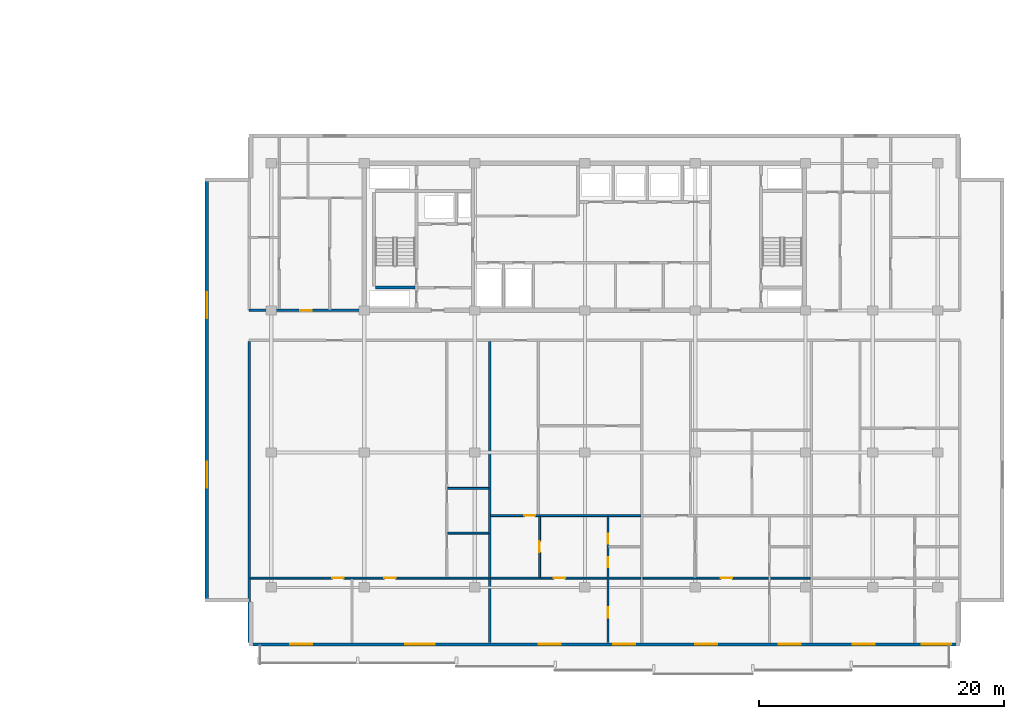
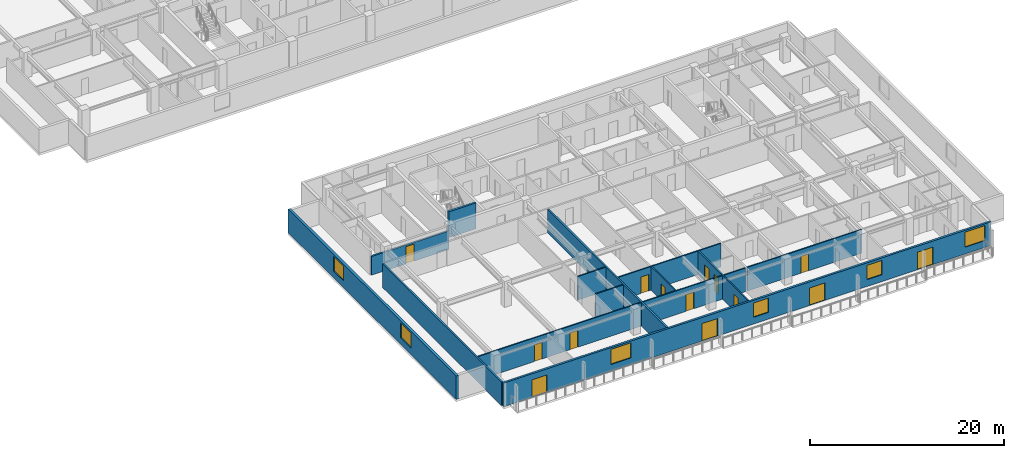
# One storey, part 4 of 21: 14 doors, 14 walls, 6 windows, 20 openings.
"""IFC4 building model written with IfcOpenShell, lengths in metres."""

from ifc_helpers import new_model, si_unit, direction, frame, frame_2d, origin, place, context, subcontext, project, spatial, rectangle, extrude, material, layer, layer_set, type_object, element, fill, save


model = new_model("IFC4")

# Units and contexts
model_context = context("Model", 3, precision=1e-05, world=origin(), true_north=direction((0.0, 1.0)))
body_context = subcontext(model_context, "Body", "Model", "MODEL_VIEW")
ifc_project = project(units=[si_unit("LENGTHUNIT", "METRE"), si_unit("AREAUNIT", "SQUARE_METRE"), si_unit("VOLUMEUNIT", "CUBIC_METRE"), si_unit("PLANEANGLEUNIT", "RADIAN"), si_unit("MASSUNIT", "GRAM", prefix="KILO")], contexts=[model_context])

# Site, building, storey
site_placement = place(None, origin())
site = spatial("IfcSite", under=ifc_project, at=site_placement, CompositionType="ELEMENT")
building_placement = place(site_placement, origin())
building = spatial("IfcBuilding", under=site, at=building_placement, Name="Korimba Cascade Residences", CompositionType="ELEMENT")
storey_placement = place(building_placement, frame((0.0, 0.0, 113.300048828125)))
storey = spatial("IfcBuildingStorey", under=building, at=storey_placement, Name="L32", CompositionType="ELEMENT", Elevation=113.300048828125)

# Wall, openings, doors, windows
ifc_material_1 = material(Name="Precast concrete C40/50", Category="concrete")
ifc_layer_1 = layer(ifc_material_1, 0.25)
ifc_layer_set_1 = layer_set([ifc_layer_1], Name="Precast concrete C40/50")
wall_type_1 = type_object("IfcWallType", Name="EW-LOG-250", PredefinedType="STANDARD", material=ifc_layer_set_1)
wall_1_placement = place(storey_placement, frame((72.699951171875, -8.85009765625, 0.0), z_axis=(0.0, 0.0, 1.0), x_axis=(1.0, 0.0, 0.0)))
wall_1 = element("IfcWall", 1, at=wall_1_placement, inside=storey, type_object=wall_type_1, Name="L32 T2 Perimeter Stone Wall E00", PredefinedType="STANDARD", context=body_context, shape_type="SweptSolid", body=[
    extrude(rectangle(XDim=58.0, YDim=0.25, at=frame_2d((29.0, 0.0))), origin(), (0.0, 0.0, 1.0), 2.969970703125),
])
opening_1_placement = place(wall_1_placement, frame((3.3583984375, 0.0, 0.0)))
opening_1 = element("IfcOpeningElement", 2, at=opening_1_placement, cuts=wall_1, Name="Opening D-LG1", PredefinedType="OPENING", context=body_context, shape_type="SweptSolid", body=[
    extrude(rectangle(XDim=1.800048828125, YDim=2.199951171875, at=frame_2d((0.89990234375, 1.10009765625))), frame((0.0, 0.135009765625, 0.0), z_axis=(0.0, -1.0, 0.0), x_axis=(1.0, 0.0, 0.0)), (0.0, 0.0, 1.0), 0.27001953125),
])
opening_2_placement = place(wall_1_placement, frame((12.7548828125, 0.0, 0.85009765625)))
opening_2 = element("IfcOpeningElement", 3, at=opening_2_placement, cuts=wall_1, Name="Opening W-01", PredefinedType="OPENING", context=body_context, shape_type="SweptSolid", body=[
    extrude(rectangle(XDim=2.39990234375, YDim=1.89990234375, at=frame_2d((1.199951171875, 0.949951171875))), frame((0.0, 0.135009765625, 0.0), z_axis=(0.0, -1.0, 0.0), x_axis=(1.0, 0.0, 0.0)), (0.0, 0.0, 1.0), 0.27001953125),
])
opening_3_placement = place(wall_1_placement, frame((23.61669921875, 0.0, 0.0)))
opening_3 = element("IfcOpeningElement", 4, at=opening_3_placement, cuts=wall_1, Name="Opening D-LG1", PredefinedType="OPENING", context=body_context, shape_type="SweptSolid", body=[
    extrude(rectangle(XDim=1.800048828125, YDim=2.199951171875, at=frame_2d((0.89990234375, 1.10009765625))), frame((0.0, 0.135009765625, 0.0), z_axis=(0.0, -1.0, 0.0), x_axis=(1.0, 0.0, 0.0)), (0.0, 0.0, 1.0), 0.27001953125),
])
opening_4_placement = place(wall_1_placement, frame((29.705078125, 0.0, 0.85009765625)))
opening_4 = element("IfcOpeningElement", 5, at=opening_4_placement, cuts=wall_1, Name="Opening W-02", PredefinedType="OPENING", context=body_context, shape_type="SweptSolid", body=[
    extrude(rectangle(XDim=1.800048828125, YDim=1.800048828125, at=frame_2d((0.89990234375, 0.89990234375))), frame((0.0, 0.135009765625, 0.0), z_axis=(0.0, -1.0, 0.0), x_axis=(1.0, 0.0, 0.0)), (0.0, 0.0, 1.0), 0.27001953125),
])
opening_5_placement = place(wall_1_placement, frame((36.41650390625, 0.0, 0.0)))
opening_5 = element("IfcOpeningElement", 6, at=opening_5_placement, cuts=wall_1, Name="Opening D-LG1", PredefinedType="OPENING", context=body_context, shape_type="SweptSolid", body=[
    extrude(rectangle(XDim=1.800048828125, YDim=2.199951171875, at=frame_2d((0.89990234375, 1.10009765625))), frame((0.0, 0.135009765625, 0.0), z_axis=(0.0, -1.0, 0.0), x_axis=(1.0, 0.0, 0.0)), (0.0, 0.0, 1.0), 0.27001953125),
])
opening_6_placement = place(wall_1_placement, frame((43.21337890625, 0.0, 0.85009765625)))
opening_6 = element("IfcOpeningElement", 7, at=opening_6_placement, cuts=wall_1, Name="Opening W-02", PredefinedType="OPENING", context=body_context, shape_type="SweptSolid", body=[
    extrude(rectangle(XDim=1.800048828125, YDim=1.800048828125, at=frame_2d((0.89990234375, 0.89990234375))), frame((0.0, 0.135009765625, 0.0), z_axis=(0.0, -1.0, 0.0), x_axis=(1.0, 0.0, 0.0)), (0.0, 0.0, 1.0), 0.27001953125),
])
opening_7_placement = place(wall_1_placement, frame((49.26171875, 0.0, 0.0)))
opening_7 = element("IfcOpeningElement", 8, at=opening_7_placement, cuts=wall_1, Name="Opening D-LG1", PredefinedType="OPENING", context=body_context, shape_type="SweptSolid", body=[
    extrude(rectangle(XDim=1.800048828125, YDim=2.199951171875, at=frame_2d((0.89990234375, 1.10009765625))), frame((0.0, 0.135009765625, 0.0), z_axis=(0.0, -1.0, 0.0), x_axis=(1.0, 0.0, 0.0)), (0.0, 0.0, 1.0), 0.27001953125),
])
opening_8_placement = place(wall_1_placement, frame((54.89990234375, 0.0, 0.85009765625)))
opening_8 = element("IfcOpeningElement", 9, at=opening_8_placement, cuts=wall_1, Name="Opening W-01", PredefinedType="OPENING", context=body_context, shape_type="SweptSolid", body=[
    extrude(rectangle(XDim=2.39990234375, YDim=1.89990234375, at=frame_2d((1.199951171875, 0.949951171875))), frame((0.0, 0.135009765625, 0.0), z_axis=(0.0, -1.0, 0.0), x_axis=(1.0, 0.0, 0.0)), (0.0, 0.0, 1.0), 0.27001953125),
])
ifc_material_2 = material(Name="Glazed Aluminium Loggia Sliding Door", Category="aluminium")
door_type_1 = type_object("IfcDoorType", Name="DR-EXT-LOG", OperationType="NOTDEFINED", PredefinedType="DOOR", material=ifc_material_2)
door_1_placement = place(opening_1_placement, origin())
door_1 = element("IfcDoor", 10, at=door_1_placement, inside=storey, type_object=door_type_1, Name="L32 T2 Loggia Sliding Door 3", OperationType="SLIDING_TO_RIGHT", OverallHeight=2.199951171875, OverallWidth=1.800048828125, PredefinedType="DOOR", context=body_context, shape_type="SweptSolid", body=[
    extrude(rectangle(XDim=1.800048828125, YDim=2.199951171875, at=frame_2d((0.89990234375, 1.10009765625))), frame((0.0, 0.02490234375, 0.0), z_axis=(0.0, -1.0, 0.0), x_axis=(1.0, 0.0, 0.0)), (0.0, 0.0, 1.0), 0.050048828125),
])
fill(opening_1, door_1)
door_2_placement = place(opening_3_placement, origin())
door_2 = element("IfcDoor", 11, at=door_2_placement, inside=storey, type_object=door_type_1, Name="L32 T2 Loggia Sliding Door 5", OperationType="SLIDING_TO_RIGHT", OverallHeight=2.199951171875, OverallWidth=1.800048828125, PredefinedType="DOOR", context=body_context, shape_type="SweptSolid", body=[
    extrude(rectangle(XDim=1.800048828125, YDim=2.199951171875, at=frame_2d((0.89990234375, 1.10009765625))), frame((0.0, 0.02490234375, 0.0), z_axis=(0.0, -1.0, 0.0), x_axis=(1.0, 0.0, 0.0)), (0.0, 0.0, 1.0), 0.050048828125),
])
fill(opening_3, door_2)
door_3_placement = place(opening_5_placement, origin())
door_3 = element("IfcDoor", 12, at=door_3_placement, inside=storey, type_object=door_type_1, Name="L32 T2 Loggia Sliding Door 7", OperationType="SLIDING_TO_RIGHT", OverallHeight=2.199951171875, OverallWidth=1.800048828125, PredefinedType="DOOR", context=body_context, shape_type="SweptSolid", body=[
    extrude(rectangle(XDim=1.800048828125, YDim=2.199951171875, at=frame_2d((0.89990234375, 1.10009765625))), frame((0.0, 0.02490234375, 0.0), z_axis=(0.0, -1.0, 0.0), x_axis=(1.0, 0.0, 0.0)), (0.0, 0.0, 1.0), 0.050048828125),
])
fill(opening_5, door_3)
door_4_placement = place(opening_7_placement, origin())
door_4 = element("IfcDoor", 13, at=door_4_placement, inside=storey, type_object=door_type_1, Name="L32 T2 Loggia Sliding Door 9", OperationType="SLIDING_TO_RIGHT", OverallHeight=2.199951171875, OverallWidth=1.800048828125, PredefinedType="DOOR", context=body_context, shape_type="SweptSolid", body=[
    extrude(rectangle(XDim=1.800048828125, YDim=2.199951171875, at=frame_2d((0.89990234375, 1.10009765625))), frame((0.0, 0.02490234375, 0.0), z_axis=(0.0, -1.0, 0.0), x_axis=(1.0, 0.0, 0.0)), (0.0, 0.0, 1.0), 0.050048828125),
])
fill(opening_7, door_4)
ifc_material_3 = material(Name="Double-Glazed Aluminium Window", Category="aluminium")
window_type_1 = type_object("IfcWindowType", Name="WIN-BED-1800", PartitioningType="SINGLE_PANEL", PredefinedType="WINDOW", material=ifc_material_3)
window_1_placement = place(opening_4_placement, origin())
window_1 = element("IfcWindow", 14, at=window_1_placement, inside=storey, type_object=window_type_1, Name="L32 T2 South Facade Window 6", OverallHeight=1.800048828125, OverallWidth=1.800048828125, PartitioningType="SINGLE_PANEL", PredefinedType="WINDOW", context=body_context, shape_type="SweptSolid", body=[
    extrude(rectangle(XDim=1.800048828125, YDim=1.800048828125, at=frame_2d((0.89990234375, 0.89990234375))), frame((0.0, 0.030029296875, 0.0), z_axis=(0.0, -1.0, 0.0), x_axis=(1.0, 0.0, 0.0)), (0.0, 0.0, 1.0), 0.06005859375),
])
fill(opening_4, window_1)
window_2_placement = place(opening_6_placement, origin())
window_2 = element("IfcWindow", 15, at=window_2_placement, inside=storey, type_object=window_type_1, Name="L32 T2 South Facade Window 8", OverallHeight=1.800048828125, OverallWidth=1.800048828125, PartitioningType="SINGLE_PANEL", PredefinedType="WINDOW", context=body_context, shape_type="SweptSolid", body=[
    extrude(rectangle(XDim=1.800048828125, YDim=1.800048828125, at=frame_2d((0.89990234375, 0.89990234375))), frame((0.0, 0.030029296875, 0.0), z_axis=(0.0, -1.0, 0.0), x_axis=(1.0, 0.0, 0.0)), (0.0, 0.0, 1.0), 0.06005859375),
])
fill(opening_6, window_2)
window_type_2 = type_object("IfcWindowType", Name="WIN-RES-2400", PartitioningType="DOUBLE_PANEL_VERTICAL", PredefinedType="WINDOW", material=ifc_material_3)
window_3_placement = place(opening_2_placement, origin())
window_3 = element("IfcWindow", 16, at=window_3_placement, inside=storey, type_object=window_type_2, Name="L32 T2 South Facade Window 4", OverallHeight=1.89990234375, OverallWidth=2.39990234375, PartitioningType="DOUBLE_PANEL_VERTICAL", PredefinedType="WINDOW", context=body_context, shape_type="SweptSolid", body=[
    extrude(rectangle(XDim=2.39990234375, YDim=1.89990234375, at=frame_2d((1.199951171875, 0.949951171875))), frame((0.0, 0.030029296875, 0.0), z_axis=(0.0, -1.0, 0.0), x_axis=(1.0, 0.0, 0.0)), (0.0, 0.0, 1.0), 0.06005859375),
])
fill(opening_2, window_3)
window_4_placement = place(opening_8_placement, origin())
window_4 = element("IfcWindow", 17, at=window_4_placement, inside=storey, type_object=window_type_2, Name="L32 T2 South Facade Window 10", OverallHeight=1.89990234375, OverallWidth=2.39990234375, PartitioningType="DOUBLE_PANEL_VERTICAL", PredefinedType="WINDOW", context=body_context, shape_type="SweptSolid", body=[
    extrude(rectangle(XDim=2.39990234375, YDim=1.89990234375, at=frame_2d((1.199951171875, 0.949951171875))), frame((0.0, 0.030029296875, 0.0), z_axis=(0.0, -1.0, 0.0), x_axis=(1.0, 0.0, 0.0)), (0.0, 0.0, 1.0), 0.06005859375),
])
fill(opening_8, window_4)

# Wall, openings, windows
ifc_layer_2 = layer(ifc_material_1, 0.300048828125)
ifc_layer_set_2 = layer_set([ifc_layer_2], Name="Precast concrete C40/50")
wall_type_2 = type_object("IfcWallType", Name="EW-STONE-300", PredefinedType="STANDARD", material=ifc_layer_set_2)
wall_2_placement = place(storey_placement, frame((69.25, 29.199951171875, 0.0), z_axis=(0.0, 0.0, 1.0), x_axis=(0.0, -1.0, 0.0)))
wall_2 = element("IfcWall", 18, at=wall_2_placement, inside=storey, type_object=wall_type_2, Name="L32 T2 Perimeter Stone Wall E09", PredefinedType="STANDARD", context=body_context, shape_type="SweptSolid", body=[
    extrude(rectangle(XDim=34.599853515625, YDim=0.300048828125, at=frame_2d((17.2998046875, 0.0))), origin(), (0.0, 0.0, 1.0), 2.969970703125),
])
opening_9_placement = place(wall_2_placement, frame((9.330078125, 0.0, 0.85009765625)))
opening_9 = element("IfcOpeningElement", 19, at=opening_9_placement, cuts=wall_2, Name="Opening W-03", PredefinedType="OPENING", context=body_context, shape_type="SweptSolid", body=[
    extrude(rectangle(XDim=2.10009765625, YDim=1.85009765625, at=frame_2d((1.050048828125, 0.925048828125))), frame((0.0, 0.16015625, 0.0), z_axis=(0.0, -1.0, 0.0), x_axis=(1.0, 0.0, 0.0)), (0.0, 0.0, 1.0), 0.320068359375),
])
opening_10_placement = place(wall_2_placement, frame((23.169921875, 0.0, 0.85009765625)))
opening_10 = element("IfcOpeningElement", 20, at=opening_10_placement, cuts=wall_2, Name="Opening W-03", PredefinedType="OPENING", context=body_context, shape_type="SweptSolid", body=[
    extrude(rectangle(XDim=2.10009765625, YDim=1.85009765625, at=frame_2d((1.050048828125, 0.925048828125))), frame((0.0, 0.16015625, 0.0), z_axis=(0.0, -1.0, 0.0), x_axis=(1.0, 0.0, 0.0)), (0.0, 0.0, 1.0), 0.320068359375),
])
window_type_3 = type_object("IfcWindowType", Name="WIN-CRN-2100", PartitioningType="DOUBLE_PANEL_HORIZONTAL", PredefinedType="WINDOW", material=ifc_material_3)
window_5_placement = place(opening_9_placement, origin())
window_5 = element("IfcWindow", 21, at=window_5_placement, inside=storey, type_object=window_type_3, Name="L32 T2 End View Window 9.1", OverallHeight=1.85009765625, OverallWidth=2.10009765625, PartitioningType="DOUBLE_PANEL_HORIZONTAL", PredefinedType="WINDOW", context=body_context, shape_type="SweptSolid", body=[
    extrude(rectangle(XDim=2.10009765625, YDim=1.85009765625, at=frame_2d((1.050048828125, 0.925048828125))), frame((0.0, 0.030029296875, 0.0), z_axis=(0.0, -1.0, 0.0), x_axis=(1.0, 0.0, 0.0)), (0.0, 0.0, 1.0), 0.06005859375),
])
fill(opening_9, window_5)
window_6_placement = place(opening_10_placement, origin())
window_6 = element("IfcWindow", 22, at=window_6_placement, inside=storey, type_object=window_type_3, Name="L32 T2 End View Window 9.2", OverallHeight=1.85009765625, OverallWidth=2.10009765625, PartitioningType="DOUBLE_PANEL_HORIZONTAL", PredefinedType="WINDOW", context=body_context, shape_type="SweptSolid", body=[
    extrude(rectangle(XDim=2.10009765625, YDim=1.85009765625, at=frame_2d((1.050048828125, 0.925048828125))), frame((0.0, 0.030029296875, 0.0), z_axis=(0.0, -1.0, 0.0), x_axis=(1.0, 0.0, 0.0)), (0.0, 0.0, 1.0), 0.06005859375),
])
fill(opening_10, window_6)

# Wall, opening, door
ifc_layer_3 = layer(ifc_material_1, 0.199951171875)
ifc_layer_set_3 = layer_set([ifc_layer_3], Name="Precast concrete C40/50")
wall_type_3 = type_object("IfcWallType", Name="WAL-IT-200", PredefinedType="PARTITIONING", material=ifc_layer_set_3)
wall_3_placement = place(storey_placement, frame((72.699951171875, 18.39990234375, 0.0), z_axis=(0.0, 0.0, 1.0), x_axis=(1.0, 0.0, 0.0)))
wall_3 = element("IfcWall", 23, at=wall_3_placement, inside=storey, type_object=wall_type_3, Name="L32 Partition Wall WAL-L32-T2-FW-S", PredefinedType="PARTITIONING", context=body_context, shape_type="SweptSolid", body=[
    extrude(rectangle(XDim=9.25, YDim=0.199951171875, at=frame_2d((4.625, 0.0))), origin(), (0.0, 0.0, 1.0), 2.357666015625),
])
opening_11_placement = place(wall_3_placement, frame((4.14990234375, 0.0, 0.0)))
opening_11 = element("IfcOpeningElement", 24, at=opening_11_placement, cuts=wall_3, Name="Opening D-UN1", PredefinedType="OPENING", context=body_context, shape_type="SweptSolid", body=[
    extrude(rectangle(XDim=0.949951171875, YDim=2.14990234375, at=frame_2d((0.47509765625, 1.074951171875))), frame((0.0, 0.10986328125, 0.0), z_axis=(0.0, -1.0, 0.0), x_axis=(1.0, 0.0, 0.0)), (0.0, 0.0, 1.0), 0.219970703125),
])
ifc_material_4 = material(Name="Fire-Rated Hardwood Apartment Entrance Door", Category="wood")
door_type_2 = type_object("IfcDoorType", Name="DR-FD60-950", OperationType="NOTDEFINED", PredefinedType="DOOR", material=ifc_material_4)
door_5_placement = place(opening_11_placement, origin())
door_5 = element("IfcDoor", 25, at=door_5_placement, inside=storey, type_object=door_type_2, Name="L32-T2-FW Entrance Door", OperationType="SINGLE_SWING_LEFT", OverallHeight=2.14990234375, OverallWidth=0.949951171875, PredefinedType="DOOR", context=body_context, shape_type="SweptSolid", body=[
    extrude(rectangle(XDim=0.949951171875, YDim=2.14990234375, at=frame_2d((0.47509765625, 1.074951171875))), frame((0.0, 0.02490234375, 0.0), z_axis=(0.0, -1.0, 0.0), x_axis=(1.0, 0.0, 0.0)), (0.0, 0.0, 1.0), 0.050048828125),
])
fill(opening_11, door_5)

# Walls
for number, where, z_axis, x_axis, name in (
    (26, (72.699951171875, -8.699951171875, 0.0), (0.0, 0.0, 1.0), (0.0, 1.0, 0.0), "L32 Partition Wall WAL-L32-T2-BNDWL"),
    (27, (92.333251953125, -8.699951171875, 0.0), (0.0, 0.0, 1.0), (0.0, 1.0, 0.0), "L32 Partition Wall WAL-L32-T2-DEM-1"),
):
    element("IfcWall", number, at=place(storey_placement, frame(where, z_axis=z_axis, x_axis=x_axis)), inside=storey, type_object=wall_type_3, Name=name, PredefinedType="PARTITIONING", context=body_context, shape_type="SweptSolid", body=[
        extrude(rectangle(XDim=24.570068359375, YDim=0.199951171875, at=frame_2d((12.28515625, 0.0))), origin(), (0.0, 0.0, 1.0), 2.969970703125),
    ])
ifc_material_5 = material(Name="Insulated Acoustic Stud Partition", Category="gypsum")
ifc_layer_4 = layer(ifc_material_5, 0.14990234375)
ifc_layer_set_4 = layer_set([ifc_layer_4], Name="Insulated Acoustic Stud Partition")
wall_type_4 = type_object("IfcWallType", Name="WAL-PART-150", PredefinedType="PARTITIONING", material=ifc_layer_set_4)
for number, where, z_axis, x_axis, name in (
    (28, (88.893310546875, 0.219970703125, 0.0), (0.0, 0.0, 1.0), (1.0, 0.0, 0.0), "L32 Partition Wall WAL-L32-T2-U01-WCH"),
    (29, (88.893310546875, 3.8701171875, 0.0), (0.0, 0.0, 1.0), (1.0, 0.0, 0.0), "L32 Partition Wall WAL-L32-T2-U01-WCH2"),
):
    element("IfcWall", number, at=place(storey_placement, frame(where, z_axis=z_axis, x_axis=x_axis)), inside=storey, type_object=wall_type_4, Name=name, PredefinedType="PARTITIONING", context=body_context, shape_type="SweptSolid", body=[
        extrude(rectangle(XDim=3.360107421875, YDim=0.14990234375, at=frame_2d((1.68017578125, 0.0))), origin(), (0.0, 0.0, 1.0), 2.969970703125),
    ])

# Wall, openings, doors
wall_4_placement = place(storey_placement, frame((72.780029296875, -3.449951171875, 0.0), z_axis=(0.0, 0.0, 1.0), x_axis=(1.0, 0.0, 0.0)))
wall_4 = element("IfcWall", 30, at=wall_4_placement, inside=storey, type_object=wall_type_4, Name="L32 Partition Wall WAL-L32-T2-U01-HZ", PredefinedType="PARTITIONING", context=body_context, shape_type="SweptSolid", body=[
    extrude(rectangle(XDim=19.473388671875, YDim=0.14990234375, at=frame_2d((9.73681640625, 0.0))), origin(), (0.0, 0.0, 1.0), 2.969970703125),
])
opening_12_placement = place(wall_4_placement, frame((6.714111328125, 0.0, 0.0)))
opening_12 = element("IfcOpeningElement", 31, at=opening_12_placement, cuts=wall_4, Name="Opening D-IN0", PredefinedType="OPENING", context=body_context, shape_type="SweptSolid", body=[
    extrude(rectangle(XDim=0.93994140625, YDim=2.10009765625, at=frame_2d((0.469970703125, 1.050048828125))), frame((0.0, 0.0849609375, 0.0), z_axis=(0.0, -1.0, 0.0), x_axis=(1.0, 0.0, 0.0)), (0.0, 0.0, 1.0), 0.169921875),
])
opening_13_placement = place(wall_4_placement, frame((10.959228515625, 0.0, 0.0)))
opening_13 = element("IfcOpeningElement", 32, at=opening_13_placement, cuts=wall_4, Name="Opening D-IN0", PredefinedType="OPENING", context=body_context, shape_type="SweptSolid", body=[
    extrude(rectangle(XDim=0.93994140625, YDim=2.10009765625, at=frame_2d((0.469970703125, 1.050048828125))), frame((0.0, 0.0849609375, 0.0), z_axis=(0.0, -1.0, 0.0), x_axis=(1.0, 0.0, 0.0)), (0.0, 0.0, 1.0), 0.169921875),
])
ifc_material_6 = material(Name="Acoustic Timber Living Archway Door", Category="wood")
door_type_3 = type_object("IfcDoorType", Name="DR-INT-950", OperationType="NOTDEFINED", PredefinedType="DOOR", material=ifc_material_6)
door_6_placement = place(opening_12_placement, origin())
door_6 = element("IfcDoor", 33, at=door_6_placement, inside=storey, type_object=door_type_3, Name="L32-T2-U01 Fitness Pilates Gym Door", OperationType="SINGLE_SWING_LEFT", OverallHeight=2.10009765625, OverallWidth=0.93994140625, PredefinedType="DOOR", context=body_context, shape_type="SweptSolid", body=[
    extrude(rectangle(XDim=0.93994140625, YDim=2.10009765625, at=frame_2d((0.469970703125, 1.050048828125))), frame((0.0, 0.02490234375, 0.0), z_axis=(0.0, -1.0, 0.0), x_axis=(1.0, 0.0, 0.0)), (0.0, 0.0, 1.0), 0.050048828125),
])
fill(opening_12, door_6)
door_7_placement = place(opening_13_placement, origin())
door_7 = element("IfcDoor", 34, at=door_7_placement, inside=storey, type_object=door_type_3, Name="L32-T2-U01 Private Screening Cinema Door", OperationType="SINGLE_SWING_RIGHT", OverallHeight=2.10009765625, OverallWidth=0.93994140625, PredefinedType="DOOR", context=body_context, shape_type="SweptSolid", body=[
    extrude(rectangle(XDim=0.93994140625, YDim=2.10009765625, at=frame_2d((0.469970703125, 1.050048828125))), frame((0.0, 0.02490234375, 0.0), z_axis=(0.0, -1.0, 0.0), x_axis=(1.0, 0.0, 0.0)), (0.0, 0.0, 1.0), 0.050048828125),
])
fill(opening_13, door_7)

# Wall, opening, door
wall_5_placement = place(storey_placement, frame((96.4033203125, -3.389892578125, 0.0), z_axis=(0.0, 0.0, 1.0), x_axis=(0.0, 1.0, 0.0)))
wall_5 = element("IfcWall", 35, at=wall_5_placement, inside=storey, type_object=wall_type_4, Name="L32 Partition Wall WAL-L32-T2-U02-VDIN", PredefinedType="PARTITIONING", context=body_context, shape_type="SweptSolid", body=[
    extrude(rectangle(XDim=5.0, YDim=0.14990234375, at=frame_2d((2.5, 0.0))), origin(), (0.0, 0.0, 1.0), 2.969970703125),
])
opening_14_placement = place(wall_5_placement, frame((2.06005859375, 0.0, 0.0)))
opening_14 = element("IfcOpeningElement", 36, at=opening_14_placement, cuts=wall_5, Name="Opening D-IN2", PredefinedType="OPENING", context=body_context, shape_type="SweptSolid", body=[
    extrude(rectangle(XDim=0.8798828125, YDim=2.06005859375, at=frame_2d((0.43994140625, 1.030029296875))), frame((0.0, 0.0849609375, 0.0), z_axis=(0.0, -1.0, 0.0), x_axis=(1.0, 0.0, 0.0)), (0.0, 0.0, 1.0), 0.169921875),
])
ifc_material_7 = material(Name="Acoustic Timber Bedroom Door", Category="wood")
door_type_4 = type_object("IfcDoorType", Name="DR-INT-880", OperationType="NOTDEFINED", PredefinedType="DOOR", material=ifc_material_7)
door_8_placement = place(opening_14_placement, origin())
door_8 = element("IfcDoor", 37, at=door_8_placement, inside=storey, type_object=door_type_4, Name="L32-T2-U02 Dining Room Door", OperationType="SINGLE_SWING_LEFT", OverallHeight=2.06005859375, OverallWidth=0.8798828125, PredefinedType="DOOR", context=body_context, shape_type="SweptSolid", body=[
    extrude(rectangle(XDim=0.8798828125, YDim=2.06005859375, at=frame_2d((0.43994140625, 1.030029296875))), frame((0.0, 0.02490234375, 0.0), z_axis=(0.0, -1.0, 0.0), x_axis=(1.0, 0.0, 0.0)), (0.0, 0.0, 1.0), 0.050048828125),
])
fill(opening_14, door_8)

# Wall, openings, doors
wall_6_placement = place(storey_placement, frame((101.97998046875, -8.699951171875, 0.0), z_axis=(0.0, 0.0, 1.0), x_axis=(0.0, 1.0, 0.0)))
wall_6 = element("IfcWall", 38, at=wall_6_placement, inside=storey, type_object=wall_type_4, Name="L32 Partition Wall WAL-L32-T2-U02-V1", PredefinedType="PARTITIONING", context=body_context, shape_type="SweptSolid", body=[
    extrude(rectangle(XDim=10.31005859375, YDim=0.14990234375, at=frame_2d((5.155029296875, 0.0))), origin(), (0.0, 0.0, 1.0), 2.969970703125),
])
opening_15_placement = place(wall_6_placement, frame((6.120361328125, 0.0, 0.0)))
opening_15 = element("IfcOpeningElement", 39, at=opening_15_placement, cuts=wall_6, Name="Opening D-BT1", PredefinedType="OPENING", context=body_context, shape_type="SweptSolid", body=[
    extrude(rectangle(XDim=0.840087890625, YDim=2.0400390625, at=frame_2d((0.419921875, 1.02001953125))), frame((0.0, 0.0849609375, 0.0), z_axis=(0.0, -1.0, 0.0), x_axis=(1.0, 0.0, 0.0)), (0.0, 0.0, 1.0), 0.169921875),
])
opening_16_placement = place(wall_6_placement, frame((8.03955078125, 0.0, 0.0)))
opening_16 = element("IfcOpeningElement", 40, at=opening_16_placement, cuts=wall_6, Name="Opening D-BT1", PredefinedType="OPENING", context=body_context, shape_type="SweptSolid", body=[
    extrude(rectangle(XDim=0.840087890625, YDim=2.0400390625, at=frame_2d((0.419921875, 1.02001953125))), frame((0.0, 0.0849609375, 0.0), z_axis=(0.0, -1.0, 0.0), x_axis=(1.0, 0.0, 0.0)), (0.0, 0.0, 1.0), 0.169921875),
])
opening_17_placement = place(wall_6_placement, frame((2.001220703125, 0.0, 0.0)))
opening_17 = element("IfcOpeningElement", 41, at=opening_17_placement, cuts=wall_6, Name="Opening D-IN2", PredefinedType="OPENING", context=body_context, shape_type="SweptSolid", body=[
    extrude(rectangle(XDim=0.8798828125, YDim=2.06005859375, at=frame_2d((0.43994140625, 1.030029296875))), frame((0.0, 0.0849609375, 0.0), z_axis=(0.0, -1.0, 0.0), x_axis=(1.0, 0.0, 0.0)), (0.0, 0.0, 1.0), 0.169921875),
])
ifc_material_8 = material(Name="Moisture-Resistant Bathroom Timber Door", Category="wood")
door_type_5 = type_object("IfcDoorType", Name="DR-INT-850", OperationType="NOTDEFINED", PredefinedType="DOOR", material=ifc_material_8)
door_9_placement = place(opening_15_placement, origin())
door_9 = element("IfcDoor", 42, at=door_9_placement, inside=storey, type_object=door_type_5, Name="L32-T2-U02 Bathroom Door", OperationType="SINGLE_SWING_RIGHT", OverallHeight=2.0400390625, OverallWidth=0.840087890625, PredefinedType="DOOR", context=body_context, shape_type="SweptSolid", body=[
    extrude(rectangle(XDim=0.840087890625, YDim=2.0400390625, at=frame_2d((0.419921875, 1.02001953125))), frame((0.0, 0.02490234375, 0.0), z_axis=(0.0, -1.0, 0.0), x_axis=(1.0, 0.0, 0.0)), (0.0, 0.0, 1.0), 0.050048828125),
])
fill(opening_15, door_9)
door_10_placement = place(opening_16_placement, origin())
door_10 = element("IfcDoor", 43, at=door_10_placement, inside=storey, type_object=door_type_5, Name="L32-T2-U02 Laundry Door", OperationType="SINGLE_SWING_LEFT", OverallHeight=2.0400390625, OverallWidth=0.840087890625, PredefinedType="DOOR", context=body_context, shape_type="SweptSolid", body=[
    extrude(rectangle(XDim=0.840087890625, YDim=2.0400390625, at=frame_2d((0.419921875, 1.02001953125))), frame((0.0, 0.02490234375, 0.0), z_axis=(0.0, -1.0, 0.0), x_axis=(1.0, 0.0, 0.0)), (0.0, 0.0, 1.0), 0.050048828125),
])
fill(opening_16, door_10)
door_11_placement = place(opening_17_placement, origin())
door_11 = element("IfcDoor", 44, at=door_11_placement, inside=storey, type_object=door_type_4, Name="L32-T2-U02 Bedroom 1 Door", OperationType="SINGLE_SWING_RIGHT", OverallHeight=2.06005859375, OverallWidth=0.8798828125, PredefinedType="DOOR", context=body_context, shape_type="SweptSolid", body=[
    extrude(rectangle(XDim=0.8798828125, YDim=2.06005859375, at=frame_2d((0.43994140625, 1.030029296875))), frame((0.0, 0.02490234375, 0.0), z_axis=(0.0, -1.0, 0.0), x_axis=(1.0, 0.0, 0.0)), (0.0, 0.0, 1.0), 0.050048828125),
])
fill(opening_17, door_11)

# Wall, opening, door
wall_7_placement = place(storey_placement, frame((92.413330078125, 1.64990234375, 0.0), z_axis=(0.0, 0.0, 1.0), x_axis=(1.0, 0.0, 0.0)))
wall_7 = element("IfcWall", 45, at=wall_7_placement, inside=storey, type_object=wall_type_4, Name="L32 Partition Wall WAL-L32-T2-U02-MW", PredefinedType="PARTITIONING", context=body_context, shape_type="SweptSolid", body=[
    extrude(rectangle(XDim=12.256591796875, YDim=0.14990234375, at=frame_2d((6.12841796875, 0.0))), origin(), (0.0, 0.0, 1.0), 2.969970703125),
])
opening_18_placement = place(wall_7_placement, frame((2.719970703125, 0.0, 0.0)))
opening_18 = element("IfcOpeningElement", 46, at=opening_18_placement, cuts=wall_7, Name="Opening D-IN1", PredefinedType="OPENING", context=body_context, shape_type="SweptSolid", body=[
    extrude(rectangle(XDim=0.919921875, YDim=2.080078125, at=frame_2d((0.4599609375, 1.0400390625))), frame((0.0, 0.0849609375, 0.0), z_axis=(0.0, -1.0, 0.0), x_axis=(1.0, 0.0, 0.0)), (0.0, 0.0, 1.0), 0.169921875),
])
ifc_material_9 = material(Name="Acoustic Timber Living Door", Category="wood")
door_type_6 = type_object("IfcDoorType", Name="DR-INT-920", OperationType="NOTDEFINED", PredefinedType="DOOR", material=ifc_material_9)
door_12_placement = place(opening_18_placement, origin())
door_12 = element("IfcDoor", 47, at=door_12_placement, inside=storey, type_object=door_type_6, Name="L32-T2-U02 Kitchen Archway Door", OperationType="SINGLE_SWING_LEFT", OverallHeight=2.080078125, OverallWidth=0.919921875, PredefinedType="DOOR", context=body_context, shape_type="SweptSolid", body=[
    extrude(rectangle(XDim=0.919921875, YDim=2.080078125, at=frame_2d((0.4599609375, 1.0400390625))), frame((0.0, 0.02490234375, 0.0), z_axis=(0.0, -1.0, 0.0), x_axis=(1.0, 0.0, 0.0)), (0.0, 0.0, 1.0), 0.050048828125),
])
fill(opening_18, door_12)

wall_8_placement = place(storey_placement, frame((92.413330078125, -3.449951171875, 0.0), z_axis=(0.0, 0.0, 1.0), x_axis=(1.0, 0.0, 0.0)))
wall_8 = element("IfcWall", 48, at=wall_8_placement, inside=storey, type_object=wall_type_4, Name="L32 Partition Wall WAL-L32-T2-U02-HZ", PredefinedType="PARTITIONING", context=body_context, shape_type="SweptSolid", body=[
    extrude(rectangle(XDim=12.256591796875, YDim=0.14990234375, at=frame_2d((6.12841796875, 0.0))), origin(), (0.0, 0.0, 1.0), 2.969970703125),
])
opening_19_placement = place(wall_8_placement, frame((5.1259765625, 0.0, 0.0)))
opening_19 = element("IfcOpeningElement", 49, at=opening_19_placement, cuts=wall_8, Name="Opening D-IN0", PredefinedType="OPENING", context=body_context, shape_type="SweptSolid", body=[
    extrude(rectangle(XDim=0.93994140625, YDim=2.10009765625, at=frame_2d((0.469970703125, 1.050048828125))), frame((0.0, 0.0849609375, 0.0), z_axis=(0.0, -1.0, 0.0), x_axis=(1.0, 0.0, 0.0)), (0.0, 0.0, 1.0), 0.169921875),
])
door_13_placement = place(opening_19_placement, origin())
door_13 = element("IfcDoor", 50, at=door_13_placement, inside=storey, type_object=door_type_3, Name="L32-T2-U02 Living Archway Door", OperationType="SINGLE_SWING_RIGHT", OverallHeight=2.10009765625, OverallWidth=0.93994140625, PredefinedType="DOOR", context=body_context, shape_type="SweptSolid", body=[
    extrude(rectangle(XDim=0.93994140625, YDim=2.10009765625, at=frame_2d((0.469970703125, 1.050048828125))), frame((0.0, 0.02490234375, 0.0), z_axis=(0.0, -1.0, 0.0), x_axis=(1.0, 0.0, 0.0)), (0.0, 0.0, 1.0), 0.050048828125),
])
fill(opening_19, door_13)

wall_9_placement = place(storey_placement, frame((104.830078125, -3.449951171875, 0.0), z_axis=(0.0, 0.0, 1.0), x_axis=(1.0, 0.0, 0.0)))
wall_9 = element("IfcWall", 51, at=wall_9_placement, inside=storey, type_object=wall_type_4, Name="L32 Partition Wall WAL-L32-T2-U03-HZ", PredefinedType="PARTITIONING", context=body_context, shape_type="SweptSolid", body=[
    extrude(rectangle(XDim=13.67333984375, YDim=0.14990234375, at=frame_2d((6.836669921875, 0.0))), origin(), (0.0, 0.0, 1.0), 2.969970703125),
])
opening_20_placement = place(wall_9_placement, frame((6.36669921875, 0.0, 0.0)))
opening_20 = element("IfcOpeningElement", 52, at=opening_20_placement, cuts=wall_9, Name="Opening D-IN0", PredefinedType="OPENING", context=body_context, shape_type="SweptSolid", body=[
    extrude(rectangle(XDim=0.93994140625, YDim=2.10009765625, at=frame_2d((0.469970703125, 1.050048828125))), frame((0.0, 0.0849609375, 0.0), z_axis=(0.0, -1.0, 0.0), x_axis=(1.0, 0.0, 0.0)), (0.0, 0.0, 1.0), 0.169921875),
])
door_14_placement = place(opening_20_placement, origin())
door_14 = element("IfcDoor", 53, at=door_14_placement, inside=storey, type_object=door_type_3, Name="L32-T2-U03 Living Archway Door", OperationType="SINGLE_SWING_LEFT", OverallHeight=2.10009765625, OverallWidth=0.93994140625, PredefinedType="DOOR", context=body_context, shape_type="SweptSolid", body=[
    extrude(rectangle(XDim=0.93994140625, YDim=2.10009765625, at=frame_2d((0.469970703125, 1.050048828125))), frame((0.0, 0.02490234375, 0.0), z_axis=(0.0, -1.0, 0.0), x_axis=(1.0, 0.0, 0.0)), (0.0, 0.0, 1.0), 0.050048828125),
])
fill(opening_20, door_14)

# Wall
ifc_material_10 = material(Name="Concrete C50/60", Category="concrete")
ifc_layer_5 = layer(ifc_material_10, 0.25)
ifc_layer_set_5 = layer_set([ifc_layer_5], Name="Concrete C50/60")
wall_type_5 = type_object("IfcWallType", Name="WAL-SHAFT-250", PredefinedType="SHEAR", material=ifc_layer_set_5)
wall_10_placement = place(storey_placement, frame((83.0, 20.27490234375, 0.0), z_axis=(0.0, 0.0, 1.0), x_axis=(1.0, 0.0, 0.0)))
element("IfcWall", 54, at=wall_10_placement, inside=storey, type_object=wall_type_5, Name="L32 Core Shear Wall CW-L32-T2-STE1S", PredefinedType="SHEAR", context=body_context, shape_type="SweptSolid", body=[
    extrude(rectangle(XDim=3.239990234375, YDim=0.25, at=frame_2d((1.6201171875, 0.0))), origin(), (0.0, 0.0, 1.0), 3.25),
])

save(model, "model.ifc")
